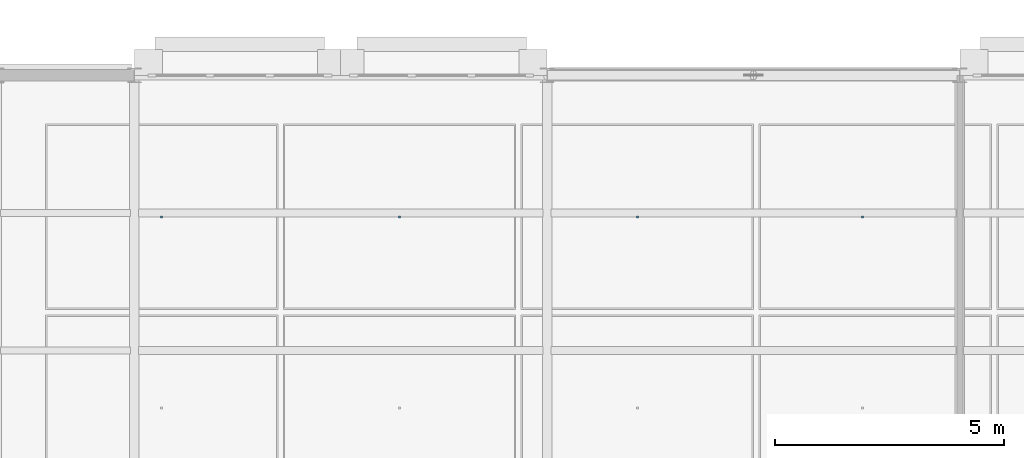
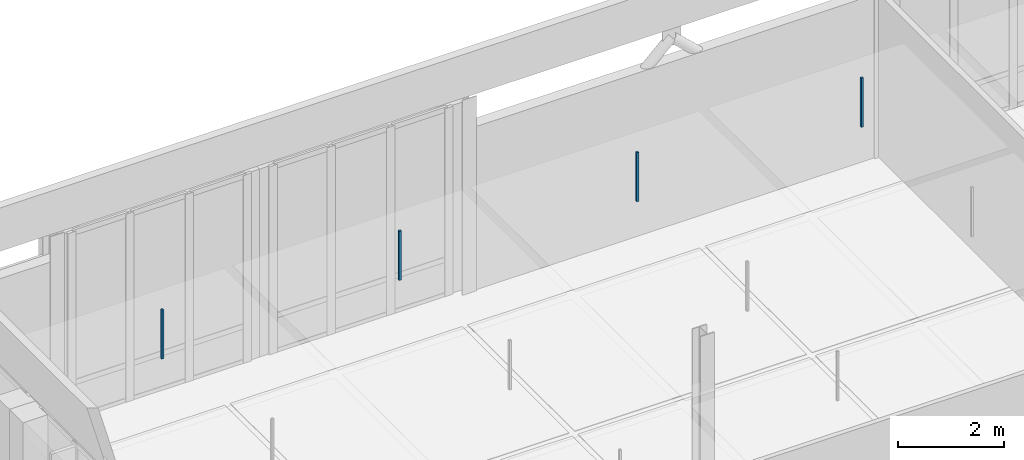
# One storey, part 68 of 89: 4 discrete accessories.
"""IFC4 building model written with IfcOpenShell, lengths in metres."""

from ifc_helpers import new_model, si_unit, direction, frame, origin, origin_2d, place, context, subcontext, project, spatial, rectangle, extrude, material, type_object, element, save


model = new_model("IFC4")

# Units and contexts
model_context = context("Model", 3, precision=1e-05, world=origin(), true_north=direction((0.0, 1.0)))
body_context = subcontext(model_context, "Body", "Model", "MODEL_VIEW")
ifc_project = project(units=[si_unit("LENGTHUNIT", "METRE"), si_unit("AREAUNIT", "SQUARE_METRE"), si_unit("VOLUMEUNIT", "CUBIC_METRE"), si_unit("PLANEANGLEUNIT", "RADIAN"), si_unit("MASSUNIT", "GRAM", prefix="KILO"), si_unit("THERMODYNAMICTEMPERATUREUNIT", "KELVIN"), si_unit("POWERUNIT", "WATT")], contexts=[model_context])

# Site, building, storey
site_placement = place(None, origin())
site = spatial("IfcSite", under=ifc_project, at=site_placement, CompositionType="ELEMENT")
building_placement = place(site_placement, origin())
building = spatial("IfcBuilding", under=site, at=building_placement, Name="Tallowbark Science Centre", CompositionType="ELEMENT")
storey_placement = place(building_placement, frame((0.0, 0.0, 14.39990234375)))
storey = spatial("IfcBuildingStorey", under=building, at=storey_placement, Name="L03", CompositionType="ELEMENT", Elevation=14.39990234375)

# Discrete accessories
ifc_material = material(Name="Galvanised Steel Grade C350L0 (350 MPa)", Category="steel")
discrete_accessory_type = type_object("IfcDiscreteAccessoryType", Name="ACC-CLG-HNG", PredefinedType="BRACKET", material=ifc_material)
for number, where, z_axis, x_axis, name in (
    (1, (72.59375, 95.916748046875, 3.205078125), (0.0, 0.0, 1.0), (1.0, 0.0, 0.0), "Ceiling Hanger Bracket L03-996"),
    (2, (77.78125, 95.916748046875, 3.205078125), (0.0, 0.0, 1.0), (1.0, 0.0, 0.0), "Ceiling Hanger Bracket L03-999"),
    (3, (82.96875, 95.916748046875, 3.205078125), (0.0, 0.0, 1.0), (1.0, 0.0, 0.0), "Ceiling Hanger Bracket L03-1002"),
    (4, (87.876220703125, 95.916748046875, 3.205078125), (0.0, 0.0, 1.0), (1.0, 0.0, 0.0), "Ceiling Hanger Bracket L03-1008"),
):
    element("IfcDiscreteAccessory", number, at=place(storey_placement, frame(where, z_axis=z_axis, x_axis=x_axis)), inside=storey, type_object=discrete_accessory_type, Name=name, PredefinedType="BRACKET", context=body_context, shape_type="SweptSolid", body=[
        extrude(rectangle(XDim=0.044921875, YDim=0.044921875, at=origin_2d()), origin(), (0.0, 0.0, 1.0), 1.137939453125),
    ])

save(model, "model.ifc")
